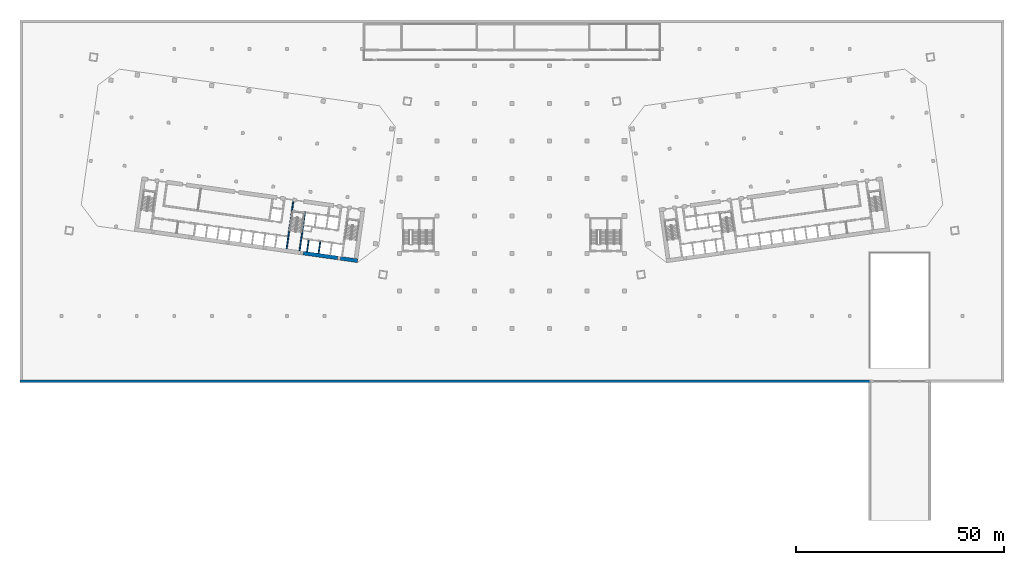
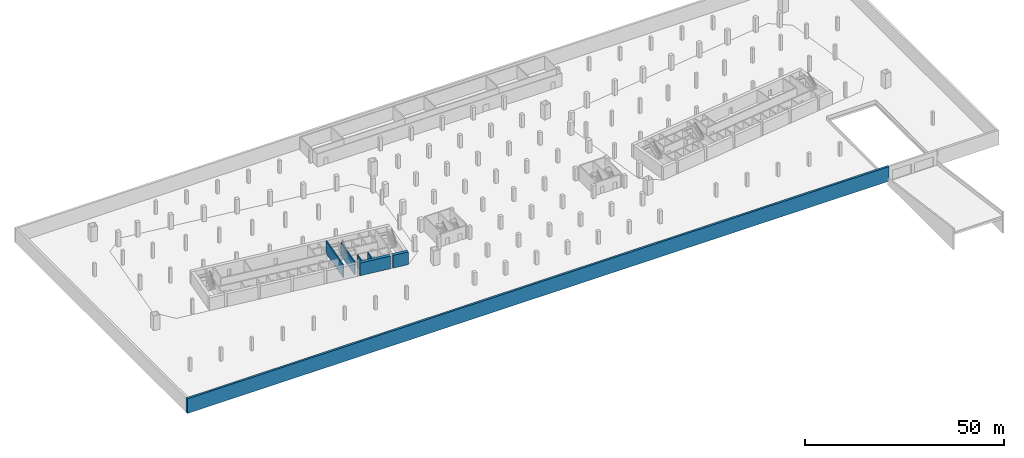
# One storey, part 4 of 17: 7 walls.
"""IFC4 building model written with IfcOpenShell, lengths in metres."""

from ifc_helpers import new_model, si_unit, direction, frame, frame_2d, origin, place, context, subcontext, project, spatial, rectangle, extrude, material, layer, layer_set, type_object, element, save


model = new_model("IFC4")

# Units and contexts
model_context = context("Model", 3, precision=1e-05, world=origin(), true_north=direction((0.0, 1.0)))
body_context = subcontext(model_context, "Body", "Model", "MODEL_VIEW")
ifc_project = project(units=[si_unit("LENGTHUNIT", "METRE"), si_unit("AREAUNIT", "SQUARE_METRE"), si_unit("VOLUMEUNIT", "CUBIC_METRE"), si_unit("PLANEANGLEUNIT", "RADIAN"), si_unit("MASSUNIT", "GRAM", prefix="KILO")], contexts=[model_context])

# Site, building, storey
site_placement = place(None, origin())
site = spatial("IfcSite", under=ifc_project, at=site_placement, CompositionType="ELEMENT")
building_placement = place(site_placement, origin())
building = spatial("IfcBuilding", under=site, at=building_placement, Name="Mirante Cascada Hotel Towers", CompositionType="ELEMENT")
storey_placement = place(building_placement, frame((0.0, 0.0, -4.5)))
storey = spatial("IfcBuildingStorey", under=building, at=storey_placement, Name="B1", CompositionType="ELEMENT", Elevation=-4.5)

# Walls
ifc_material_1 = material(Name="Concrete C50/60", Category="concrete")
ifc_layer_1 = layer(ifc_material_1, 0.3)
ifc_layer_set_1 = layer_set([ifc_layer_1], Name="RC core wall 300 C50/60")
wall_type_1 = type_object("IfcWallType", Name="RC core wall 300 C50/60", PredefinedType="SHEAR", material=ifc_layer_set_1)
wall_1_placement = place(storey_placement, frame((-50.938, -17.3352, 0.0), z_axis=(0.0, 0.0, 1.0), x_axis=(0.1391706, 0.9902684, 0.0)))
element("IfcWall", 1, at=wall_1_placement, inside=storey, type_object=wall_type_1, Name="Core wall T1:B1:6", PredefinedType="SHEAR", context=body_context, shape_type="SweptSolid", body=[
    extrude(rectangle(XDim=9.4, YDim=0.3, at=frame_2d((4.7, 0.0))), origin(), (0.0, 0.0, 1.0), 3.9),
])
wall_2_placement = place(storey_placement, frame((-54.0574, -16.8968, 0.0), z_axis=(0.0, 0.0, 1.0), x_axis=(0.1391761, 0.9902677, 0.0)))
element("IfcWall", 2, at=wall_2_placement, inside=storey, type_object=wall_type_1, Name="Core wall T1:B1:7", PredefinedType="SHEAR", context=body_context, shape_type="SweptSolid", body=[
    extrude(rectangle(XDim=11.3999, YDim=0.3, at=frame_2d((5.7, 0.0))), origin(), (0.0, 0.0, 1.0), 3.9),
])
wall_3_placement = place(storey_placement, frame((-46.3828, -17.9754, 0.0), z_axis=(0.0, 0.0, 1.0), x_axis=(0.139181, 0.990267, 0.0)))
element("IfcWall", 3, at=wall_3_placement, inside=storey, type_object=wall_type_1, Name="Core wall T1:B1:16", PredefinedType="SHEAR", context=body_context, shape_type="SweptSolid", body=[
    extrude(rectangle(XDim=2.8, YDim=0.3, at=frame_2d((1.4, 0.0))), origin(), (0.0, 0.0, 1.0), 3.9),
])
wall_4_placement = place(storey_placement, frame((-49.1555, -17.5857, 0.0), z_axis=(0.0, 0.0, 1.0), x_axis=(0.1391459, 0.9902719, 0.0)))
element("IfcWall", 4, at=wall_4_placement, inside=storey, type_object=wall_type_1, Name="Core wall T1:B1:17", PredefinedType="SHEAR", context=body_context, shape_type="SweptSolid", body=[
    extrude(rectangle(XDim=2.7999, YDim=0.3, at=frame_2d((1.4, 0.0))), origin(), (0.0, 0.0, 1.0), 3.9),
])
ifc_material_2 = material(Name="Concrete C50/60", Category="concrete")
ifc_layer_2 = layer(ifc_material_2, 0.9)
ifc_layer_set_2 = layer_set([ifc_layer_2], Name="RC core wall 900 C50/60")
wall_type_2 = type_object("IfcWallType", Name="RC core wall 900 C50/60", PredefinedType="SHEAR", material=ifc_layer_set_2)
wall_5_placement = place(storey_placement, frame((-37.0379, -19.7432, 0.0), z_axis=(0.0, 0.0, 1.0), x_axis=(-0.990267, 0.139181, 0.0)))
element("IfcWall", 5, at=wall_5_placement, inside=storey, type_object=wall_type_2, Name="Core wall T1:B1:1.1", PredefinedType="SHEAR", context=body_context, shape_type="SweptSolid", body=[
    extrude(rectangle(XDim=4.15, YDim=0.9, at=frame_2d((2.075, 0.0))), origin(), (0.0, 0.0, 1.0), 3.9),
])
wall_6_placement = place(storey_placement, frame((-41.8407, -19.0682, 0.0), z_axis=(0.0, 0.0, 1.0), x_axis=(-0.9902686, 0.1391692, 0.0)))
element("IfcWall", 6, at=wall_6_placement, inside=storey, type_object=wall_type_2, Name="Core wall T1:B1:1.2", PredefinedType="SHEAR", context=body_context, shape_type="SweptSolid", body=[
    extrude(rectangle(XDim=8.3, YDim=0.9, at=frame_2d((4.15, 0.0))), origin(), (0.0, 0.0, 1.0), 3.9),
])
ifc_material_3 = material(Name="Concrete C35/45", Category="concrete")
ifc_layer_3 = layer(ifc_material_3, 0.6)
ifc_layer_set_3 = layer_set([ifc_layer_3], Name="Retaining wall 600 C35/45")
wall_type_3 = type_object("IfcWallType", Name="Retaining wall 600 C35/45", PredefinedType="SOLIDWALL", material=ifc_layer_set_3)
wall_7_placement = place(storey_placement, frame((-118.0, -48.7, 0.0), z_axis=(0.0, 0.0, 1.0), x_axis=(1.0, 0.0, 0.0)))
element("IfcWall", 7, at=wall_7_placement, inside=storey, type_object=wall_type_3, Name="wall:B:B1:4", PredefinedType="SOLIDWALL", context=body_context, shape_type="SweptSolid", body=[
    extrude(rectangle(XDim=204.0, YDim=0.6, at=frame_2d((102.0, 0.0))), origin(), (0.0, 0.0, 1.0), 4.5),
])

save(model, "model.ifc")
